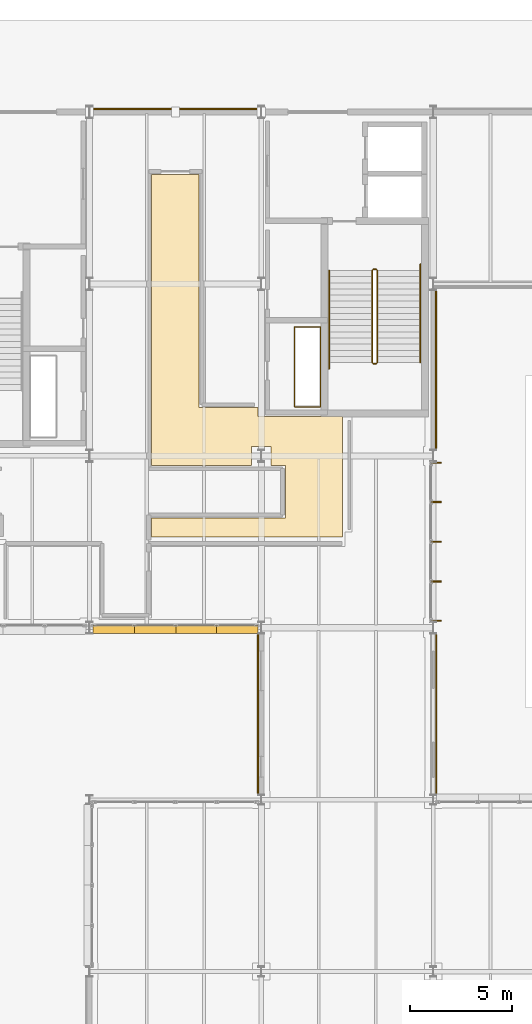
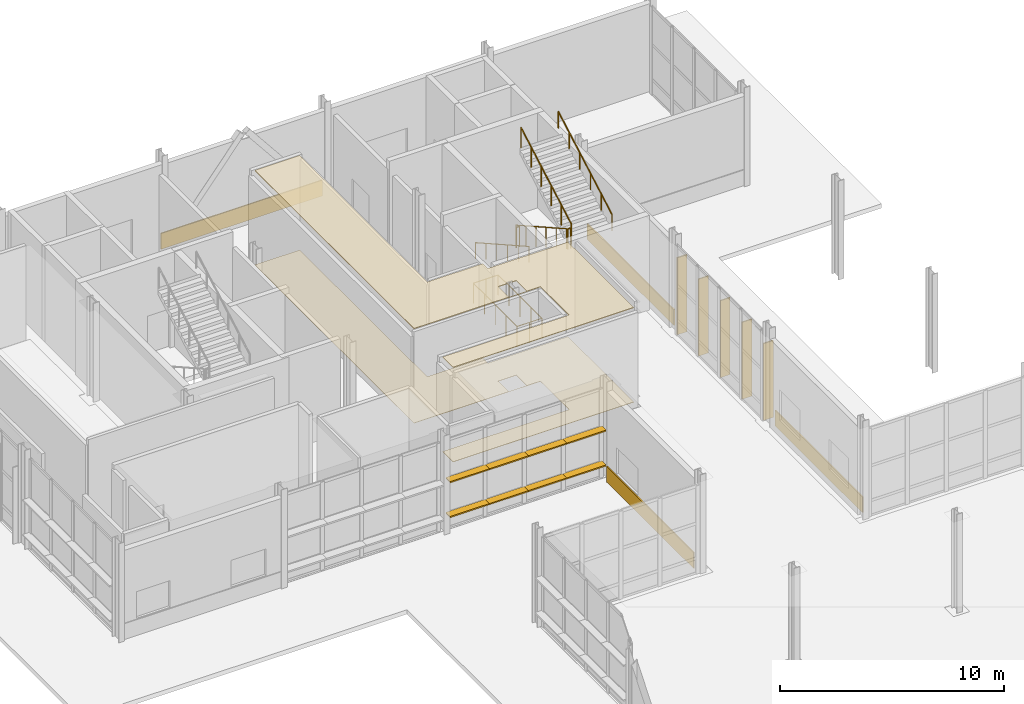
# One storey, part 122 of 124: 13 shading devices, 7 railings, 6 coverings.
"""IFC4 building model written with IfcOpenShell, lengths in metres."""

from ifc_helpers import new_model, si_unit, direction, frame, origin, origin_2d, place, context, subcontext, project, spatial, polyline, rectangle, circle, outline, extrude, material, layer, layer_set, type_object, element, save


model = new_model("IFC4")

# Units and contexts
model_context = context("Model", 3, precision=1e-05, world=origin(), true_north=direction((0.0, 1.0)))
body_context = subcontext(model_context, "Body", "Model", "MODEL_VIEW")
ifc_project = project(units=[si_unit("LENGTHUNIT", "METRE"), si_unit("AREAUNIT", "SQUARE_METRE"), si_unit("VOLUMEUNIT", "CUBIC_METRE"), si_unit("PLANEANGLEUNIT", "RADIAN"), si_unit("MASSUNIT", "GRAM", prefix="KILO")], contexts=[model_context])

# Site, building, storey
site_placement = place(None, origin())
site = spatial("IfcSite", under=ifc_project, at=site_placement, CompositionType="ELEMENT")
building_placement = place(site_placement, origin())
building = spatial("IfcBuilding", under=site, at=building_placement, Name="Mersafa Astral City Hall", CompositionType="ELEMENT")
storey_placement = place(building_placement, origin())
storey = spatial("IfcBuildingStorey", under=building, at=storey_placement, Name="L00", CompositionType="ELEMENT", Elevation=0.0)

# Coverings
ifc_material_1 = material(Name="Cairo Mokattam buff limestone cladding", Category="masonry")
ifc_layer_1 = layer(ifc_material_1, 0.06005859375, Name="Cairo Mokattam buff limestone cladding")
ifc_layer_set_1 = layer_set([ifc_layer_1], Name="Cairo Mokattam buff limestone cladding — ENV-COV-LIMESTONE-60")
covering_type_1 = type_object("IfcCoveringType", Name="ENV-COV-LIMESTONE-60", PredefinedType="CLADDING", material=ifc_layer_set_1)
for number, where, z_axis, x_axis, name in (
    (1, (167.837890625, 96.574951171875, 0.0), (0.0, 0.0, 1.0), (0.0, -1.0, 0.0), "L00 Cairo buff limestone rainscreen cladding 22"),
    (2, (176.547119140625, 96.574951171875, 0.0), (0.0, 0.0, 1.0), (0.0, 1.0, 0.0), "L00 Cairo buff limestone rainscreen cladding 29"),
):
    element("IfcCovering", number, at=place(storey_placement, frame(where, z_axis=z_axis, x_axis=x_axis)), inside=storey, type_object=covering_type_1, Name=name, PredefinedType="CLADDING", context=body_context, shape_type="SweptSolid", body=[
        extrude(rectangle(XDim=7.798095703125, YDim=0.06005859375, at=origin_2d()), origin(), (0.0, 0.0, 1.0), 0.860107421875),
    ])
covering_1_placement = place(storey_placement, frame((176.53955078125, 113.39990234375, 0.0), z_axis=(0.0, 0.0, 1.0), x_axis=(0.0, 1.0, 0.0)))
element("IfcCovering", 3, at=covering_1_placement, inside=storey, type_object=covering_type_1, Name="L00 Cairo buff limestone rainscreen cladding 30", PredefinedType="CLADDING", context=body_context, shape_type="SweptSolid", body=[
    extrude(rectangle(XDim=7.748046875, YDim=0.06005859375, at=origin_2d()), origin(), (0.0, 0.0, 1.0), 0.860107421875),
])
covering_2_placement = place(storey_placement, frame((163.800048828125, 126.154541015625, 0.0), z_axis=(0.0, 0.0, 1.0), x_axis=(-1.0, 0.0, 0.0)))
element("IfcCovering", 4, at=covering_2_placement, inside=storey, type_object=covering_type_1, Name="L00 Cairo buff limestone rainscreen cladding 33", PredefinedType="CLADDING", context=body_context, shape_type="SweptSolid", body=[
    extrude(rectangle(XDim=8.323974609375, YDim=0.06005859375, at=origin_2d()), origin(), (0.0, 0.0, 1.0), 0.860107421875),
])

# Shading devices
ifc_material_2 = material(Name="Anodised bronze aluminium solar fin", Category="aluminium")
shading_device_type_1 = type_object("IfcShadingDeviceType", Name="ENV-SHD-FIN-500B", PredefinedType="USERDEFINED", material=ifc_material_2)
for number, where, z_axis, x_axis, name in (
    (5, (176.544921875, 101.14208984375, -0.01513671875), (0.0, 0.0, 1.0), (0.0, 1.0, 0.0), "L00 Vertical bronze solar fin 193"),
    (6, (176.544921875, 103.055908203125, -0.01513671875), (0.0, 0.0, 1.0), (0.0, 1.0, 0.0), "L00 Vertical bronze solar fin 194"),
    (7, (176.544921875, 105.0, -0.01513671875), (0.0, 0.0, 1.0), (0.0, 1.0, 0.0), "L00 Vertical bronze solar fin 195"),
    (8, (176.544921875, 106.944091796875, -0.01513671875), (0.0, 0.0, 1.0), (0.0, 1.0, 0.0), "L00 Vertical bronze solar fin 196"),
    (9, (176.544921875, 108.85791015625, -0.01513671875), (0.0, 0.0, 1.0), (0.0, 1.0, 0.0), "L00 Vertical bronze solar fin 197"),
):
    element("IfcShadingDevice", number, at=place(storey_placement, frame(where, z_axis=z_axis, x_axis=x_axis)), inside=storey, type_object=shading_device_type_1, Name=name, ObjectType="FIN", PredefinedType="USERDEFINED", context=body_context, shape_type="SweptSolid", body=[
        extrude(rectangle(XDim=0.06005859375, YDim=0.5, at=origin_2d()), origin(), (0.0, 0.0, 1.0), 4.199951171875),
    ])
ifc_material_3 = material(Name="Kiln-dried cedar timber brise-soleil blade", Category="wood")
shading_device_type_2 = type_object("IfcShadingDeviceType", Name="ENV-SHD-LOUVRE-380", PredefinedType="JALOUSIE", material=ifc_material_3)
shading_device_1_placement = place(storey_placement, frame((160.78662109375, 100.719970703125, 0.81494140625), z_axis=(0.0, 0.0, 1.0), x_axis=(1.0, 0.0, 0.0)))
element("IfcShadingDevice", 10, at=shading_device_1_placement, inside=storey, type_object=shading_device_type_2, Name="L00 Horizontal cedar brise-soleil louvre 122", PredefinedType="JALOUSIE", context=body_context, shape_type="SweptSolid", body=[
    extrude(rectangle(XDim=2.029052734375, YDim=0.3798828125, at=origin_2d()), origin(), (0.0, 0.0, 1.0), 0.070068359375),
])
for number, where, z_axis, x_axis, name in (
    (11, (162.79052734375, 100.719970703125, 0.81494140625), (0.0, 0.0, 1.0), (1.0, 0.0, 0.0), "L00 Horizontal cedar brise-soleil louvre 123"),
    (12, (164.8095703125, 100.719970703125, 0.81494140625), (0.0, 0.0, 1.0), (1.0, 0.0, 0.0), "L00 Horizontal cedar brise-soleil louvre 124"),
):
    element("IfcShadingDevice", number, at=place(storey_placement, frame(where, z_axis=z_axis, x_axis=x_axis)), inside=storey, type_object=shading_device_type_2, Name=name, PredefinedType="JALOUSIE", context=body_context, shape_type="SweptSolid", body=[
        extrude(rectangle(XDim=2.05908203125, YDim=0.3798828125, at=origin_2d()), origin(), (0.0, 0.0, 1.0), 0.070068359375),
    ])
for number, where, z_axis, x_axis, name in (
    (13, (166.8134765625, 100.719970703125, 0.81494140625), (0.0, 0.0, 1.0), (1.0, 0.0, 0.0), "L00 Horizontal cedar brise-soleil louvre 125"),
    (14, (160.78662109375, 100.719970703125, 2.71484375), (0.0, 0.0, 1.0), (1.0, 0.0, 0.0), "L00 Horizontal cedar brise-soleil louvre 126"),
):
    element("IfcShadingDevice", number, at=place(storey_placement, frame(where, z_axis=z_axis, x_axis=x_axis)), inside=storey, type_object=shading_device_type_2, Name=name, PredefinedType="JALOUSIE", context=body_context, shape_type="SweptSolid", body=[
        extrude(rectangle(XDim=2.029052734375, YDim=0.3798828125, at=origin_2d()), origin(), (0.0, 0.0, 1.0), 0.070068359375),
    ])
for number, where, z_axis, x_axis, name in (
    (15, (162.79052734375, 100.719970703125, 2.71484375), (0.0, 0.0, 1.0), (1.0, 0.0, 0.0), "L00 Horizontal cedar brise-soleil louvre 127"),
    (16, (164.8095703125, 100.719970703125, 2.71484375), (0.0, 0.0, 1.0), (1.0, 0.0, 0.0), "L00 Horizontal cedar brise-soleil louvre 128"),
):
    element("IfcShadingDevice", number, at=place(storey_placement, frame(where, z_axis=z_axis, x_axis=x_axis)), inside=storey, type_object=shading_device_type_2, Name=name, PredefinedType="JALOUSIE", context=body_context, shape_type="SweptSolid", body=[
        extrude(rectangle(XDim=2.05908203125, YDim=0.3798828125, at=origin_2d()), origin(), (0.0, 0.0, 1.0), 0.070068359375),
    ])
shading_device_2_placement = place(storey_placement, frame((166.8134765625, 100.719970703125, 2.71484375), z_axis=(0.0, 0.0, 1.0), x_axis=(1.0, 0.0, 0.0)))
element("IfcShadingDevice", 17, at=shading_device_2_placement, inside=storey, type_object=shading_device_type_2, Name="L00 Horizontal cedar brise-soleil louvre 129", PredefinedType="JALOUSIE", context=body_context, shape_type="SweptSolid", body=[
    extrude(rectangle(XDim=2.029052734375, YDim=0.3798828125, at=origin_2d()), origin(), (0.0, 0.0, 1.0), 0.070068359375),
])

# Railings
ifc_material_4 = material(Name="Painted architectural steel stair guard balustrade", Category="steel")
railing_type_1 = type_object("IfcRailingType", Name="GUARD-RAIL", PredefinedType="BALUSTRADE", material=ifc_material_4)
railing_1_placement = place(storey_placement, frame((173.409912109375, 118.260009765625, 0.168701171875)))
element("IfcRailing", 18, at=railing_1_placement, inside=storey, type_object=railing_type_1, Name="L00 ST2 stair guard 1", PredefinedType="BALUSTRADE", context=body_context, shape_type="SweptSolid", body=[
    extrude(circle(Radius=0.02392578125, at=origin_2d()), frame((0.0, 0.0, 1.09619140625), z_axis=(0.0, -0.871575537125, 0.490261239633), x_axis=(1.0, 0.0, 0.0)), (0.0, 0.0, 1.0), 5.1630859375),
    extrude(circle(Radius=0.02099609375, at=origin_2d()), origin(), (0.0, 0.0, 1.0), 1.072021484375),
    extrude(circle(Radius=0.02099609375, at=origin_2d()), frame((0.0, -0.89990234375, 0.50634765625)), (0.0, 0.0, 1.0), 1.072021484375),
    extrude(circle(Radius=0.02099609375, at=origin_2d()), frame((0.0, -1.800048828125, 1.012451171875)), (0.0, 0.0, 1.0), 1.072021484375),
    extrude(circle(Radius=0.02099609375, at=origin_2d()), frame((0.0, -2.699951171875, 1.518798828125)), (0.0, 0.0, 1.0), 1.072021484375),
    extrude(circle(Radius=0.02099609375, at=origin_2d()), frame((0.0, -3.60009765625, 2.02490234375)), (0.0, 0.0, 1.0), 1.072021484375),
    extrude(circle(Radius=0.02099609375, at=origin_2d()), frame((0.0, -4.5, 2.53125)), (0.0, 0.0, 1.0), 1.072021484375),
])
railing_2_placement = place(storey_placement, frame((173.4599609375, 113.7099609375, 2.699951171875)))
element("IfcRailing", 19, at=railing_2_placement, inside=storey, type_object=railing_type_1, Name="L00 ST2 stair guard 2", PredefinedType="BALUSTRADE", context=body_context, shape_type="SweptSolid", body=[
    extrude(circle(Radius=0.02392578125, at=origin_2d()), frame((0.0, 0.0, 1.09619140625), z_axis=(1.0, 0.0, 0.0), x_axis=(0.0, 1.0, 0.0)), (0.0, 0.0, 1.0), 0.16015625),
    extrude(circle(Radius=0.02099609375, at=origin_2d()), origin(), (0.0, 0.0, 1.0), 1.072021484375),
    extrude(circle(Radius=0.02099609375, at=origin_2d()), frame((0.16015625, 0.0, 0.0)), (0.0, 0.0, 1.0), 1.072021484375),
])
railing_3_placement = place(storey_placement, frame((173.669921875, 113.760009765625, 2.86865234375)))
element("IfcRailing", 20, at=railing_3_placement, inside=storey, type_object=railing_type_1, Name="L00 ST2 stair guard 3", PredefinedType="BALUSTRADE", context=body_context, shape_type="SweptSolid", body=[
    extrude(circle(Radius=0.02392578125, at=origin_2d()), frame((0.0, 0.0, 1.09619140625), z_axis=(0.0, 0.871575537125, 0.490261239633), x_axis=(-1.0, 0.0, 0.0)), (0.0, 0.0, 1.0), 5.1630859375),
    extrude(circle(Radius=0.02099609375, at=origin_2d()), origin(), (0.0, 0.0, 1.0), 1.072021484375),
    extrude(circle(Radius=0.02099609375, at=origin_2d()), frame((0.0, 0.89990234375, 0.50634765625)), (0.0, 0.0, 1.0), 1.072021484375),
    extrude(circle(Radius=0.02099609375, at=origin_2d()), frame((0.0, 1.800048828125, 1.012451171875)), (0.0, 0.0, 1.0), 1.072021484375),
    extrude(circle(Radius=0.02099609375, at=origin_2d()), frame((0.0, 2.699951171875, 1.518798828125)), (0.0, 0.0, 1.0), 1.072021484375),
    extrude(circle(Radius=0.02099609375, at=origin_2d()), frame((0.0, 3.60009765625, 2.02490234375)), (0.0, 0.0, 1.0), 1.072021484375),
    extrude(circle(Radius=0.02099609375, at=origin_2d()), frame((0.0, 4.5, 2.53125)), (0.0, 0.0, 1.0), 1.072021484375),
])
railing_4_placement = place(storey_placement, frame((173.4599609375, 118.31005859375, 0.0)))
element("IfcRailing", 21, at=railing_4_placement, inside=storey, type_object=railing_type_1, Name="L00 ST2 stair guard 4", PredefinedType="BALUSTRADE", context=body_context, shape_type="SweptSolid", body=[
    extrude(circle(Radius=0.02392578125, at=origin_2d()), frame((0.0, 0.0, 1.09619140625), z_axis=(1.0, 0.0, 0.0), x_axis=(0.0, 1.0, 0.0)), (0.0, 0.0, 1.0), 0.16015625),
    extrude(circle(Radius=0.02099609375, at=origin_2d()), origin(), (0.0, 0.0, 1.0), 1.072021484375),
    extrude(circle(Radius=0.02099609375, at=origin_2d()), frame((0.16015625, 0.0, 0.0)), (0.0, 0.0, 1.0), 1.072021484375),
])
railing_5_placement = place(storey_placement, frame((169.6201171875, 111.60009765625, 0.0)))
element("IfcRailing", 22, at=railing_5_placement, inside=storey, type_object=railing_type_1, Name="L00 K2 MEP Riser Shaft Guard", PredefinedType="BALUSTRADE", context=body_context, shape_type="SweptSolid", body=[
    extrude(circle(Radius=0.02392578125, at=origin_2d()), frame((0.0, 0.0, 1.09619140625), z_axis=(1.0, 0.0, 0.0), x_axis=(0.0, 1.0, 0.0)), (0.0, 0.0, 1.0), 1.27978515625),
    extrude(circle(Radius=0.02392578125, at=origin_2d()), frame((1.27978515625, 0.0, 1.09619140625), z_axis=(0.0, 1.0, 0.0), x_axis=(-1.0, 0.0, 0.0)), (0.0, 0.0, 1.0), 3.89990234375),
    extrude(circle(Radius=0.02392578125, at=origin_2d()), frame((1.27978515625, 3.89990234375, 1.09619140625), z_axis=(-1.0, 0.0, 0.0), x_axis=(0.0, -1.0, 0.0)), (0.0, 0.0, 1.0), 1.27978515625),
    extrude(circle(Radius=0.02392578125, at=origin_2d()), frame((0.0, 3.89990234375, 1.09619140625), z_axis=(0.0, -1.0, 0.0), x_axis=(1.0, 0.0, 0.0)), (0.0, 0.0, 1.0), 3.89990234375),
    extrude(circle(Radius=0.02099609375, at=origin_2d()), origin(), (0.0, 0.0, 1.0), 1.072021484375),
    extrude(circle(Radius=0.02099609375, at=origin_2d()), frame((0.639892578125, 0.0, 0.0)), (0.0, 0.0, 1.0), 1.072021484375),
    extrude(circle(Radius=0.02099609375, at=origin_2d()), frame((1.27978515625, 0.0, 0.0)), (0.0, 0.0, 1.0), 1.072021484375),
    extrude(circle(Radius=0.02099609375, at=origin_2d()), frame((1.27978515625, 0.97509765625, 0.0)), (0.0, 0.0, 1.0), 1.072021484375),
    extrude(circle(Radius=0.02099609375, at=origin_2d()), frame((1.27978515625, 1.949951171875, 0.0)), (0.0, 0.0, 1.0), 1.072021484375),
    extrude(circle(Radius=0.02099609375, at=origin_2d()), frame((1.27978515625, 2.9248046875, 0.0)), (0.0, 0.0, 1.0), 1.072021484375),
    extrude(circle(Radius=0.02099609375, at=origin_2d()), frame((1.27978515625, 3.89990234375, 0.0)), (0.0, 0.0, 1.0), 1.072021484375),
    extrude(circle(Radius=0.02099609375, at=origin_2d()), frame((0.639892578125, 3.89990234375, 0.0)), (0.0, 0.0, 1.0), 1.072021484375),
    extrude(circle(Radius=0.02099609375, at=origin_2d()), frame((0.0, 3.89990234375, 0.0)), (0.0, 0.0, 1.0), 1.072021484375),
    extrude(circle(Radius=0.02099609375, at=origin_2d()), frame((0.0, 2.9248046875, 0.0)), (0.0, 0.0, 1.0), 1.072021484375),
    extrude(circle(Radius=0.02099609375, at=origin_2d()), frame((0.0, 1.949951171875, 0.0)), (0.0, 0.0, 1.0), 1.072021484375),
    extrude(circle(Radius=0.02099609375, at=origin_2d()), frame((0.0, 0.97509765625, 0.0)), (0.0, 0.0, 1.0), 1.072021484375),
])
ifc_material_5 = material(Name="Brushed stainless steel tubular handrail", Category="steel")
railing_type_2 = type_object("IfcRailingType", Name="HANDRAIL", PredefinedType="HANDRAIL", material=ifc_material_5)
railing_6_placement = place(storey_placement, frame((171.31005859375, 118.260009765625, 0.168701171875)))
element("IfcRailing", 23, at=railing_6_placement, inside=storey, type_object=railing_type_2, Name="L00 ST2 stair handrail 1", PredefinedType="HANDRAIL", context=body_context, shape_type="SweptSolid", body=[
    extrude(circle(Radius=0.02392578125, at=origin_2d()), frame((0.0, 0.0, 0.8759765625), z_axis=(0.0, -0.871335168691, 0.49068831635), x_axis=(1.0, 0.0, 0.0)), (0.0, 0.0, 1.0), 5.5087890625),
    extrude(circle(Radius=0.02099609375, at=origin_2d()), origin(), (0.0, 0.0, 1.0), 0.851806640625),
    extrude(circle(Radius=0.02099609375, at=origin_2d()), frame((0.0, -0.9599609375, 0.54052734375)), (0.0, 0.0, 1.0), 0.851806640625),
    extrude(circle(Radius=0.02099609375, at=origin_2d()), frame((0.0, -1.919921875, 1.081298828125)), (0.0, 0.0, 1.0), 0.851806640625),
    extrude(circle(Radius=0.02099609375, at=origin_2d()), frame((0.0, -2.880126953125, 1.621826171875)), (0.0, 0.0, 1.0), 0.851806640625),
    extrude(circle(Radius=0.02099609375, at=origin_2d()), frame((0.0, -3.840087890625, 2.16259765625)), (0.0, 0.0, 1.0), 0.851806640625),
    extrude(circle(Radius=0.02099609375, at=origin_2d()), frame((0.0, -4.800048828125, 2.703125)), (0.0, 0.0, 1.0), 0.851806640625),
])
railing_7_placement = place(storey_placement, frame((175.77001953125, 113.760009765625, 2.86865234375)))
element("IfcRailing", 24, at=railing_7_placement, inside=storey, type_object=railing_type_2, Name="L00 ST2 stair handrail 2", PredefinedType="HANDRAIL", context=body_context, shape_type="SweptSolid", body=[
    extrude(circle(Radius=0.02392578125, at=origin_2d()), frame((0.0, 0.0, 0.8759765625), z_axis=(0.0, 0.871335168691, 0.49068831635), x_axis=(-1.0, 0.0, 0.0)), (0.0, 0.0, 1.0), 5.5087890625),
    extrude(circle(Radius=0.02099609375, at=origin_2d()), origin(), (0.0, 0.0, 1.0), 0.851806640625),
    extrude(circle(Radius=0.02099609375, at=origin_2d()), frame((0.0, 0.9599609375, 0.54052734375)), (0.0, 0.0, 1.0), 0.851806640625),
    extrude(circle(Radius=0.02099609375, at=origin_2d()), frame((0.0, 1.919921875, 1.081298828125)), (0.0, 0.0, 1.0), 0.851806640625),
    extrude(circle(Radius=0.02099609375, at=origin_2d()), frame((0.0, 2.880126953125, 1.621826171875)), (0.0, 0.0, 1.0), 0.851806640625),
    extrude(circle(Radius=0.02099609375, at=origin_2d()), frame((0.0, 3.840087890625, 2.16259765625)), (0.0, 0.0, 1.0), 0.851806640625),
    extrude(circle(Radius=0.02099609375, at=origin_2d()), frame((0.0, 4.800048828125, 2.703125)), (0.0, 0.0, 1.0), 0.851806640625),
])

# Coverings
ifc_material_6 = material(Name="Slatted cedar timber acoustic baffle ceiling", Category="wood")
ifc_layer_2 = layer(ifc_material_6, 0.034912109375, Name="Slatted cedar timber acoustic baffle ceiling")
ifc_layer_set_2 = layer_set([ifc_layer_2], Name="Slatted cedar timber acoustic baffle ceiling — INT-COV-CEIL-35")
covering_type_2 = type_object("IfcCoveringType", Name="INT-COV-CEIL-35", PredefinedType="CEILING", material=ifc_layer_set_2)
covering_3_placement = place(storey_placement, frame((0.0, 0.0, 5.14599609375)))
element("IfcCovering", 25, at=covering_3_placement, inside=storey, type_object=covering_type_2, Name="L00 Civil Registry Reception Hall L00-17 acoustic ceiling", PredefinedType="CEILING", context=body_context, shape_type="SweptSolid", body=[
    extrude(outline(polyline([(169.169921875, 108.719970703125), (162.639892578125, 108.719970703125), (162.639892578125, 122.9599609375), (164.9599609375, 122.9599609375), (164.9599609375, 111.56005859375), (167.840087890625, 111.56005859375), (167.840087890625, 111.1201171875), (171.969970703125, 111.1201171875), (171.969970703125, 105.22998046875), (162.639892578125, 105.22998046875), (162.639892578125, 106.159912109375), (169.169921875, 106.159912109375), (169.169921875, 108.719970703125)]), holes=[polyline([(168.469970703125, 108.72998046875), (168.469970703125, 109.669921875), (167.530029296875, 109.669921875), (167.530029296875, 108.72998046875), (168.469970703125, 108.72998046875)])]), origin(), (0.0, 0.0, 1.0), 0.034912109375),
])
ifc_material_7 = material(Name="Honed Cairo limestone terrazzo flooring", Category="masonry")
ifc_layer_3 = layer(ifc_material_7, 0.02001953125, Name="Honed Cairo limestone terrazzo flooring")
ifc_layer_set_3 = layer_set([ifc_layer_3], Name="Honed Cairo limestone terrazzo flooring — INT-COV-FLR-20")
covering_type_3 = type_object("IfcCoveringType", Name="INT-COV-FLR-20", PredefinedType="FLOORING", material=ifc_layer_set_3)
covering_4_placement = place(storey_placement, frame((0.0, 0.0, -0.00146484375)))
element("IfcCovering", 26, at=covering_4_placement, inside=storey, type_object=covering_type_3, Name="L00 Civil Registry Reception Hall L00-17 architectural flooring", PredefinedType="FLOORING", context=body_context, shape_type="SweptSolid", body=[
    extrude(outline(polyline([(169.169921875, 108.719970703125), (162.639892578125, 108.719970703125), (162.639892578125, 122.9599609375), (164.9599609375, 122.9599609375), (164.9599609375, 111.56005859375), (167.840087890625, 111.56005859375), (167.840087890625, 111.1201171875), (171.969970703125, 111.1201171875), (171.969970703125, 105.22998046875), (162.639892578125, 105.22998046875), (162.639892578125, 106.159912109375), (169.169921875, 106.159912109375), (169.169921875, 108.719970703125)]), holes=[polyline([(168.469970703125, 108.72998046875), (168.469970703125, 109.669921875), (167.530029296875, 109.669921875), (167.530029296875, 108.72998046875), (168.469970703125, 108.72998046875)])]), origin(), (0.0, 0.0, 1.0), 0.02001953125),
])

save(model, "model.ifc")
